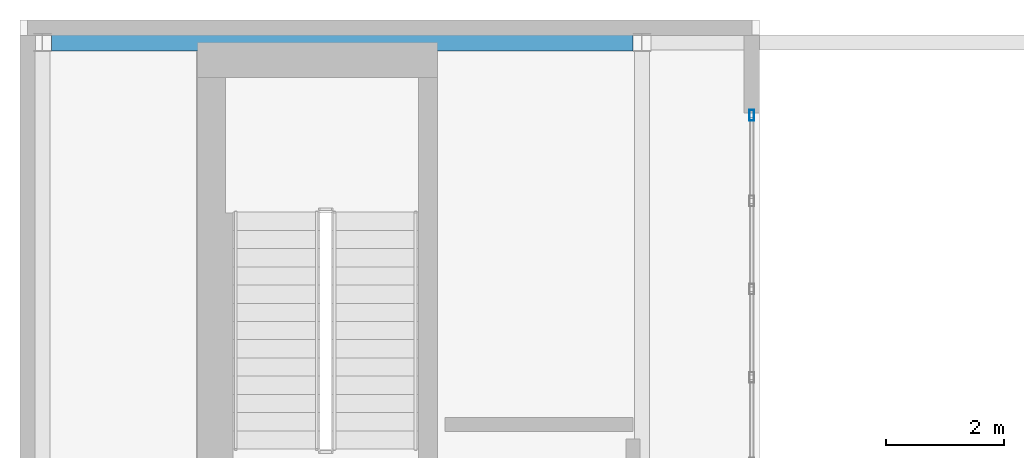
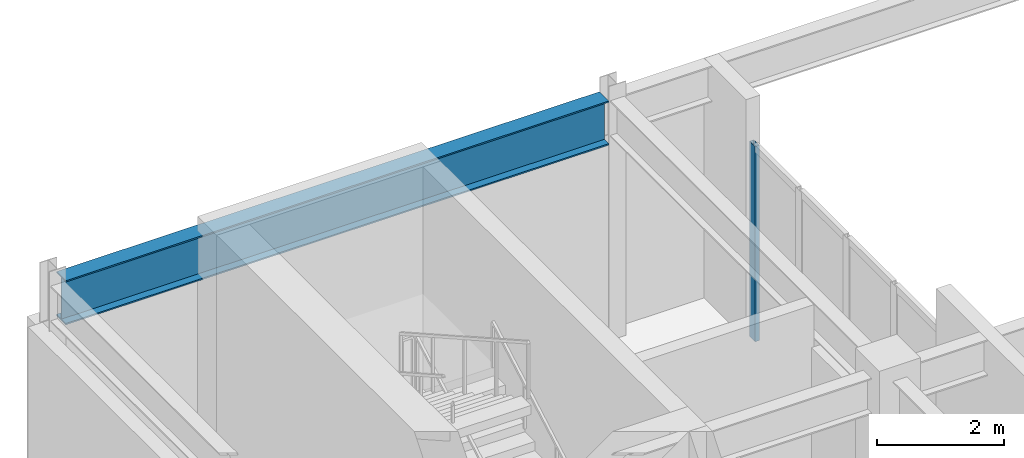
# One storey, part 5 of 9: 1 beam, 1 member, 1 element without a shape of its own.
"""IFC4 building model written with IfcOpenShell, lengths in metres."""

from ifc_helpers import new_model, si_unit, direction, frame, origin, origin_2d, place, context, subcontext, project, spatial, hollow_rectangle, i_section, extrude, material, layer, layer_set, material_profile, profile_set, type_object, element, aggregate, save


model = new_model("IFC4")

# Units and contexts
model_context = context("Model", 3, precision=1e-05, world=origin(), true_north=direction((0.0, 1.0)))
body_context = subcontext(model_context, "Body", "Model", "MODEL_VIEW")
ifc_project = project(units=[si_unit("LENGTHUNIT", "METRE"), si_unit("AREAUNIT", "SQUARE_METRE"), si_unit("VOLUMEUNIT", "CUBIC_METRE"), si_unit("PLANEANGLEUNIT", "RADIAN"), si_unit("MASSUNIT", "GRAM", prefix="KILO")], contexts=[model_context])

# Site, building, storey
site_placement = place(None, origin())
site = spatial("IfcSite", under=ifc_project, at=site_placement, CompositionType="ELEMENT")
building_placement = place(site_placement, origin())
building = spatial("IfcBuilding", under=site, at=building_placement, Name="Solanera Arch Residences", CompositionType="ELEMENT")
storey_placement = place(building_placement, frame((0.0, 0.0, 292.780029296875)))
storey = spatial("IfcBuildingStorey", under=building, at=storey_placement, Name="L83", CompositionType="ELEMENT", Elevation=292.780029296875)

# Curtain wall, member
ifc_material_1 = material(Name="Anodised Aluminium Alloy 6063-T6", Category="aluminium")
ifc_layer = layer(ifc_material_1, 0.179931640625)
ifc_layer_set = layer_set([ifc_layer], Name="Anodised Aluminium Alloy 6063-T6")
curtain_wall_type = type_object("IfcCurtainWallType", Name="CW-6 Split-Top Crown Lantern Curtain Wall", PredefinedType="USERDEFINED", material=ifc_layer_set)
curtain_wall_placement = place(storey_placement, origin())
curtain_wall = element("IfcCurtainWall", 1, at=curtain_wall_placement, inside=storey, type_object=curtain_wall_type, Name="L83 W Crown Cleft Lantern Curtain Wall", ObjectType="CURTAIN_WALL", PredefinedType="USERDEFINED")
ifc_material_2 = material(Name="Anodised Aluminium Alloy 6063-T6", Category="aluminium")
ifc_material_profile_1 = material_profile(ifc_material_2, hollow_rectangle(XDim=0.080078125, YDim=0.179931640625, WallThickness=0.00390625, at=origin_2d()))
ifc_profile_set_1 = profile_set([ifc_material_profile_1], Name="Anodised Aluminium Alloy 6063-T6")
member_type = type_object("IfcMemberType", Name="Curtain Wall Mullion ALU-MUL-80X180", PredefinedType="MULLION", material=ifc_profile_set_1)
member_placement = place(storey_placement, frame((22.669921875, 38.159912109375, 0.0), z_axis=(0.0, 0.0, 1.0), x_axis=(-1.0, 0.0, 0.0)))
member = element("IfcMember", 2, at=member_placement, type_object=member_type, Name="CW-6 mullion 5", PredefinedType="MULLION", context=body_context, shape_type="SweptSolid", body=[
    extrude(hollow_rectangle(XDim=0.080078125, YDim=0.179931640625, WallThickness=0.00390625, at=origin_2d()), origin(), (0.0, 0.0, 1.0), 3.760009765625),
])
aggregate(curtain_wall, [member])

# Beam
ifc_material_3 = material(Name="Steel S355 (ASTM A992 / A572 Grade 50)", Category="steel")
ifc_material_profile_2 = material_profile(ifc_material_3, i_section(OverallWidth=0.2939453125, OverallDepth=0.85107421875, WebThickness=0.01611328125, FlangeThickness=0.02685546875, at=origin_2d()))
ifc_profile_set_2 = profile_set([ifc_material_profile_2], Name="Steel S355 (ASTM A992 / A572 Grade 50)")
beam_type = type_object("IfcBeamType", Name="Primary Beam W840X226", PredefinedType="BEAM", material=ifc_profile_set_2)
beam_placement = place(storey_placement, frame((10.751953125, 39.39990234375, 4.194091796875), z_axis=(1.0, 0.0, 0.0), x_axis=(0.0, 1.0, 0.0)))
element("IfcBeam", 3, at=beam_placement, inside=storey, type_object=beam_type, Name="BM-L83-CR-WN", PredefinedType="BEAM", context=body_context, shape_type="SweptSolid", body=[
    extrude(i_section(OverallWidth=0.2939453125, OverallDepth=0.85107421875, WebThickness=0.01611328125, FlangeThickness=0.02685546875, at=origin_2d()), origin(), (0.0, 0.0, 1.0), 9.89599609375),
])

save(model, "model.ifc")
